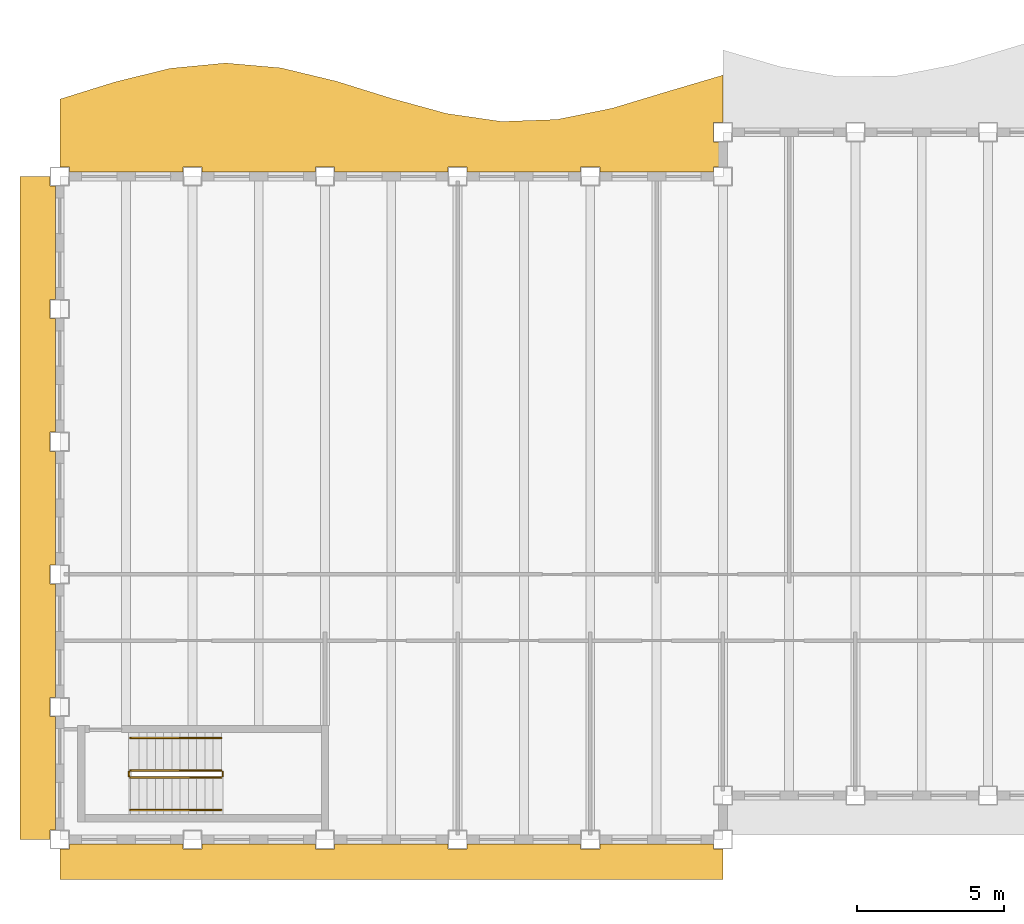
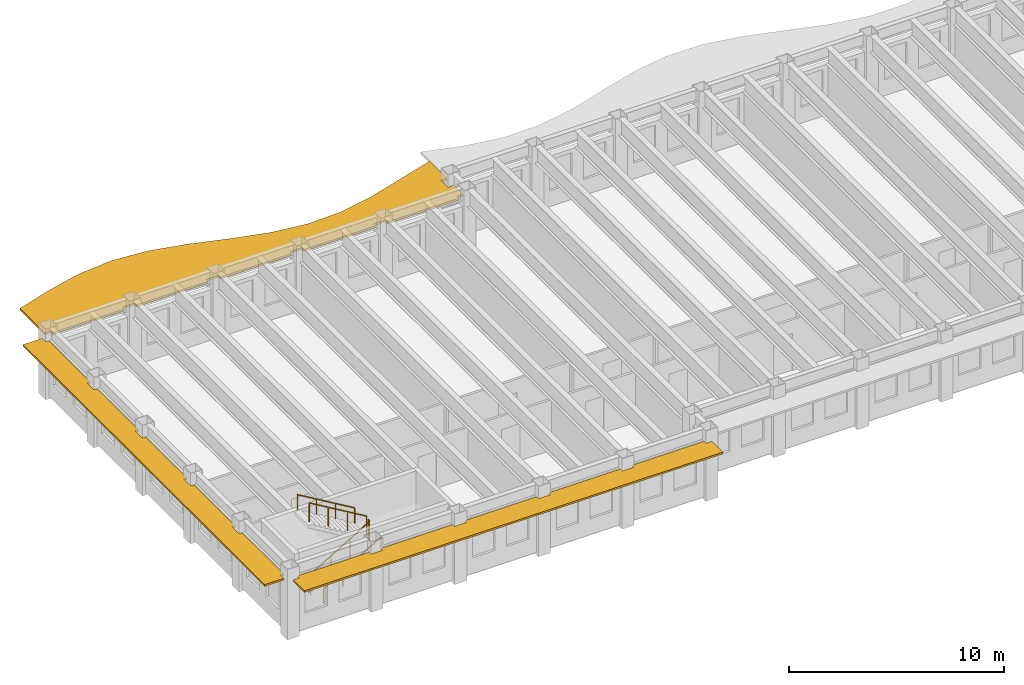
# One storey, part 8 of 12: 6 railings, 3 shading devices.
"""IFC4 building model written with IfcOpenShell, lengths in metres."""

from ifc_helpers import new_model, si_unit, direction, frame, origin, origin_2d, place, context, subcontext, project, spatial, polyline, rectangle, outline, extrude, material, layer, layer_set, type_object, element, save


model = new_model("IFC4")

# Units and contexts
model_context = context("Model", 3, precision=1e-05, world=origin(), true_north=direction((0.0, 1.0)))
body_context = subcontext(model_context, "Body", "Model", "MODEL_VIEW")
ifc_project = project(units=[si_unit("LENGTHUNIT", "METRE"), si_unit("AREAUNIT", "SQUARE_METRE"), si_unit("VOLUMEUNIT", "CUBIC_METRE"), si_unit("PLANEANGLEUNIT", "RADIAN"), si_unit("MASSUNIT", "GRAM", prefix="KILO")], contexts=[model_context])

# Site, building, storey
site_placement = place(None, origin())
site = spatial("IfcSite", under=ifc_project, at=site_placement, CompositionType="ELEMENT")
building_placement = place(site_placement, origin())
building = spatial("IfcBuilding", under=site, at=building_placement, Name="Sennacour Bend Tower", CompositionType="ELEMENT")
storey_placement = place(building_placement, frame((0.0, 0.0, 269.0)))
storey = spatial("IfcBuildingStorey", under=building, at=storey_placement, Name="L62", CompositionType="ELEMENT", Elevation=269.0)

# Railings
ifc_material_1 = material(Name="Stainless steel", Category="steel")
railing_type_1 = type_object("IfcRailingType", Name="RL-GUARD-1100", PredefinedType="GUARDRAIL", material=ifc_material_1)
railing_1_placement = place(storey_placement, frame((2.39990234375, 2.10009765625, 0.166748046875)))
element("IfcRailing", 1, at=railing_1_placement, inside=storey, type_object=railing_type_1, Name="L62 SK1 stair guard 1", PredefinedType="GUARDRAIL", context=body_context, shape_type="SweptSolid", body=[
    extrude(rectangle(XDim=0.048095703125, YDim=0.048095703125, at=origin_2d()), frame((0.0, 0.0, 1.076171875), z_axis=(0.859308565015, 0.0, 0.511457515432), x_axis=(0.0, 1.0, 0.0)), (0.0, 0.0, 1.0), 3.58447265625),
    extrude(rectangle(XDim=0.0419921875, YDim=0.0419921875, at=origin_2d()), origin(), (0.0, 0.0, 1.0), 1.052001953125),
    extrude(rectangle(XDim=0.0419921875, YDim=0.0419921875, at=origin_2d()), frame((1.026611328125, 0.0, 0.611083984375)), (0.0, 0.0, 1.0), 1.052001953125),
    extrude(rectangle(XDim=0.0419921875, YDim=0.0419921875, at=origin_2d()), frame((2.053466796875, 0.0, 1.22216796875)), (0.0, 0.0, 1.0), 1.052001953125),
    extrude(rectangle(XDim=0.0419921875, YDim=0.0419921875, at=origin_2d()), frame((3.080078125, 0.0, 1.833251953125)), (0.0, 0.0, 1.0), 1.052001953125),
])
railing_2_placement = place(storey_placement, frame((5.530029296875, 2.14990234375, 2.0)))
element("IfcRailing", 2, at=railing_2_placement, inside=storey, type_object=railing_type_1, Name="L62 SK1 stair guard 2", PredefinedType="GUARDRAIL", context=body_context, shape_type="SweptSolid", body=[
    extrude(rectangle(XDim=0.048095703125, YDim=0.048095703125, at=origin_2d()), frame((0.0, 0.0, 1.076171875), z_axis=(0.0, 1.0, 0.0), x_axis=(-1.0, 0.0, 0.0)), (0.0, 0.0, 1.0), 0.150146484375),
    extrude(rectangle(XDim=0.0419921875, YDim=0.0419921875, at=origin_2d()), origin(), (0.0, 0.0, 1.0), 1.052001953125),
    extrude(rectangle(XDim=0.0419921875, YDim=0.0419921875, at=origin_2d()), frame((0.0, 0.150146484375, 0.0)), (0.0, 0.0, 1.0), 1.052001953125),
])
railing_3_placement = place(storey_placement, frame((5.47998046875, 2.35009765625, 2.166748046875)))
element("IfcRailing", 3, at=railing_3_placement, inside=storey, type_object=railing_type_1, Name="L62 SK1 stair guard 3", PredefinedType="GUARDRAIL", context=body_context, shape_type="SweptSolid", body=[
    extrude(rectangle(XDim=0.048095703125, YDim=0.048095703125, at=origin_2d()), frame((0.0, 0.0, 1.076171875), z_axis=(-0.859308565015, 0.0, 0.511457515432), x_axis=(0.0, -1.0, 0.0)), (0.0, 0.0, 1.0), 3.58447265625),
    extrude(rectangle(XDim=0.0419921875, YDim=0.0419921875, at=origin_2d()), origin(), (0.0, 0.0, 1.0), 1.052001953125),
    extrude(rectangle(XDim=0.0419921875, YDim=0.0419921875, at=origin_2d()), frame((-1.026611328125, 0.0, 0.611083984375)), (0.0, 0.0, 1.0), 1.052001953125),
    extrude(rectangle(XDim=0.0419921875, YDim=0.0419921875, at=origin_2d()), frame((-2.053466796875, 0.0, 1.22216796875)), (0.0, 0.0, 1.0), 1.052001953125),
    extrude(rectangle(XDim=0.0419921875, YDim=0.0419921875, at=origin_2d()), frame((-3.080078125, 0.0, 1.833251953125)), (0.0, 0.0, 1.0), 1.052001953125),
])
railing_4_placement = place(storey_placement, frame((2.35009765625, 2.14990234375, 0.0)))
element("IfcRailing", 4, at=railing_4_placement, inside=storey, type_object=railing_type_1, Name="L62 SK1 stair guard 4", PredefinedType="GUARDRAIL", context=body_context, shape_type="SweptSolid", body=[
    extrude(rectangle(XDim=0.048095703125, YDim=0.048095703125, at=origin_2d()), frame((0.0, 0.0, 1.076171875), z_axis=(0.0, 1.0, 0.0), x_axis=(-1.0, 0.0, 0.0)), (0.0, 0.0, 1.0), 0.150146484375),
    extrude(rectangle(XDim=0.0419921875, YDim=0.0419921875, at=origin_2d()), origin(), (0.0, 0.0, 1.0), 1.052001953125),
    extrude(rectangle(XDim=0.0419921875, YDim=0.0419921875, at=origin_2d()), frame((0.0, 0.150146484375, 0.0)), (0.0, 0.0, 1.0), 1.052001953125),
])
railing_type_2 = type_object("IfcRailingType", Name="RL-HANDRAIL-900", PredefinedType="HANDRAIL", material=ifc_material_1)
railing_5_placement = place(storey_placement, frame((2.39990234375, 1.0, 0.166748046875)))
element("IfcRailing", 5, at=railing_5_placement, inside=storey, type_object=railing_type_2, Name="L62 SK1 stair handrail 1", PredefinedType="HANDRAIL", context=body_context, shape_type="SweptSolid", body=[
    extrude(rectangle(XDim=0.048095703125, YDim=0.048095703125, at=origin_2d()), frame((0.0, 0.0, 0.8759765625), z_axis=(0.859308565015, 0.0, 0.511457515432), x_axis=(0.0, 1.0, 0.0)), (0.0, 0.0, 1.0), 3.58447265625),
    extrude(rectangle(XDim=0.0419921875, YDim=0.0419921875, at=origin_2d()), origin(), (0.0, 0.0, 1.0), 0.851806640625),
    extrude(rectangle(XDim=0.0419921875, YDim=0.0419921875, at=origin_2d()), frame((1.026611328125, 0.0, 0.611083984375)), (0.0, 0.0, 1.0), 0.851806640625),
    extrude(rectangle(XDim=0.0419921875, YDim=0.0419921875, at=origin_2d()), frame((2.053466796875, 0.0, 1.22216796875)), (0.0, 0.0, 1.0), 0.851806640625),
    extrude(rectangle(XDim=0.0419921875, YDim=0.0419921875, at=origin_2d()), frame((3.080078125, 0.0, 1.833251953125)), (0.0, 0.0, 1.0), 0.851806640625),
])
railing_6_placement = place(storey_placement, frame((5.47998046875, 3.449951171875, 2.166748046875)))
element("IfcRailing", 6, at=railing_6_placement, inside=storey, type_object=railing_type_2, Name="L62 SK1 stair handrail 2", PredefinedType="HANDRAIL", context=body_context, shape_type="SweptSolid", body=[
    extrude(rectangle(XDim=0.048095703125, YDim=0.048095703125, at=origin_2d()), frame((0.0, 0.0, 0.8759765625), z_axis=(-0.859308565015, 0.0, 0.511457515432), x_axis=(0.0, -1.0, 0.0)), (0.0, 0.0, 1.0), 3.58447265625),
    extrude(rectangle(XDim=0.0419921875, YDim=0.0419921875, at=origin_2d()), origin(), (0.0, 0.0, 1.0), 0.851806640625),
    extrude(rectangle(XDim=0.0419921875, YDim=0.0419921875, at=origin_2d()), frame((-1.026611328125, 0.0, 0.611083984375)), (0.0, 0.0, 1.0), 0.851806640625),
    extrude(rectangle(XDim=0.0419921875, YDim=0.0419921875, at=origin_2d()), frame((-2.053466796875, 0.0, 1.22216796875)), (0.0, 0.0, 1.0), 0.851806640625),
    extrude(rectangle(XDim=0.0419921875, YDim=0.0419921875, at=origin_2d()), frame((-3.080078125, 0.0, 1.833251953125)), (0.0, 0.0, 1.0), 0.851806640625),
])

# Shading devices
ifc_material_2 = material(Name="Bronze anodised aluminium", Category="aluminium")
ifc_layer_1 = layer(ifc_material_2, 0.10009765625, Name="Bronze anodised aluminium", Category="aluminium")
ifc_layer_set_1 = layer_set([ifc_layer_1], Name="Bronze anodised aluminium")
shading_device_type_1 = type_object("IfcShadingDeviceType", Name="SUNSHADE BAND STRAIGHT", PredefinedType="USERDEFINED", material=ifc_layer_set_1)
shading_device_1_placement = place(storey_placement, frame((0.0, 0.0, 3.06201171875)))
element("IfcShadingDevice", 7, at=shading_device_1_placement, inside=storey, type_object=shading_device_type_1, Name="Sunshade band L62 K outer face", ObjectType="SUNSHADE", PredefinedType="USERDEFINED", context=body_context, shape_type="SweptSolid", body=[
    extrude(outline(polyline([(-0.14990234375, 18.324951171875), (-0.324951171875, 18.324951171875), (-0.324951171875, 17.675048828125), (-0.14990234375, 17.675048828125), (-0.14990234375, 13.824951171875), (-0.324951171875, 13.824951171875), (-0.324951171875, 13.175048828125), (-0.14990234375, 13.175048828125), (-0.14990234375, 9.324951171875), (-0.324951171875, 9.324951171875), (-0.324951171875, 8.675048828125), (-0.14990234375, 8.675048828125), (-0.14990234375, 4.824951171875), (-0.324951171875, 4.824951171875), (-0.324951171875, 4.175048828125), (-0.14990234375, 4.175048828125), (-0.14990234375, 0.324951171875), (-0.324951171875, 0.324951171875), (-0.324951171875, 0.0), (-1.35009765625, 0.0), (-1.35009765625, 22.5), (-0.324951171875, 22.5), (-0.324951171875, 22.175048828125), (-0.14990234375, 22.175048828125), (-0.14990234375, 18.324951171875)])), origin(), (0.0, 0.0, 1.0), 0.10009765625),
])
shading_device_2_placement = place(storey_placement, frame((0.0, 0.0, 3.06201171875)))
element("IfcShadingDevice", 8, at=shading_device_2_placement, inside=storey, type_object=shading_device_type_1, Name="Sunshade band L62 K outer face", ObjectType="SUNSHADE", PredefinedType="USERDEFINED", context=body_context, shape_type="SweptSolid", body=[
    extrude(outline(polyline([(4.175048828125, -0.14990234375), (4.175048828125, -0.324951171875), (4.824951171875, -0.324951171875), (4.824951171875, -0.14990234375), (8.675048828125, -0.14990234375), (8.675048828125, -0.324951171875), (9.324951171875, -0.324951171875), (9.324951171875, -0.14990234375), (13.175048828125, -0.14990234375), (13.175048828125, -0.324951171875), (13.824951171875, -0.324951171875), (13.824951171875, -0.14990234375), (17.675048828125, -0.14990234375), (17.675048828125, -0.324951171875), (18.324951171875, -0.324951171875), (18.324951171875, -0.14990234375), (22.175048828125, -0.14990234375), (22.175048828125, -0.324951171875), (22.5, -0.324951171875), (22.5, -1.35009765625), (0.0, -1.35009765625), (0.0, -0.324951171875), (0.324951171875, -0.324951171875), (0.324951171875, -0.14990234375), (4.175048828125, -0.14990234375)])), origin(), (0.0, 0.0, 1.0), 0.10009765625),
])
ifc_layer_2 = layer(ifc_material_2, 0.1201171875, Name="Bronze anodised aluminium", Category="aluminium")
ifc_layer_set_2 = layer_set([ifc_layer_2], Name="Bronze anodised aluminium")
shading_device_type_2 = type_object("IfcShadingDeviceType", Name="SUNSHADE BAND WAVE", PredefinedType="USERDEFINED", material=ifc_layer_set_2)
shading_device_3_placement = place(storey_placement, frame((0.0, 0.0, 3.0419921875)))
element("IfcShadingDevice", 9, at=shading_device_3_placement, inside=storey, type_object=shading_device_type_2, Name="Sunshade band L62 concave faces", ObjectType="SUNSHADE", PredefinedType="USERDEFINED", context=body_context, shape_type="SweptSolid", body=[
    extrude(outline(polyline([(22.175048828125, 22.64990234375), (18.324951171875, 22.64990234375), (18.324951171875, 22.824951171875), (17.675048828125, 22.824951171875), (17.675048828125, 22.64990234375), (13.824951171875, 22.64990234375), (13.824951171875, 22.824951171875), (13.175048828125, 22.824951171875), (13.175048828125, 22.64990234375), (9.324951171875, 22.64990234375), (9.324951171875, 22.824951171875), (8.675048828125, 22.824951171875), (8.675048828125, 22.64990234375), (4.824951171875, 22.64990234375), (4.824951171875, 22.824951171875), (4.175048828125, 22.824951171875), (4.175048828125, 22.64990234375), (0.324951171875, 22.64990234375), (0.324951171875, 22.824951171875), (0.0, 22.824951171875), (0.0, 25.12353515625), (1.875, 25.70849609375), (3.75, 26.170166015625), (5.625, 26.349853515625), (7.5, 26.18603515625), (9.375, 25.73486328125), (11.25, 25.1513671875), (13.125, 24.63623046875), (15.0, 24.3662109375), (16.875, 24.4345703125), (18.75, 24.8173828125), (20.625, 25.38330078125), (22.5, 25.937744140625), (22.5, 24.324951171875), (22.175048828125, 24.324951171875), (22.175048828125, 23.675048828125), (22.5, 23.675048828125), (22.5, 22.824951171875), (22.175048828125, 22.824951171875), (22.175048828125, 22.64990234375)])), origin(), (0.0, 0.0, 1.0), 0.1201171875),
])

save(model, "model.ifc")
